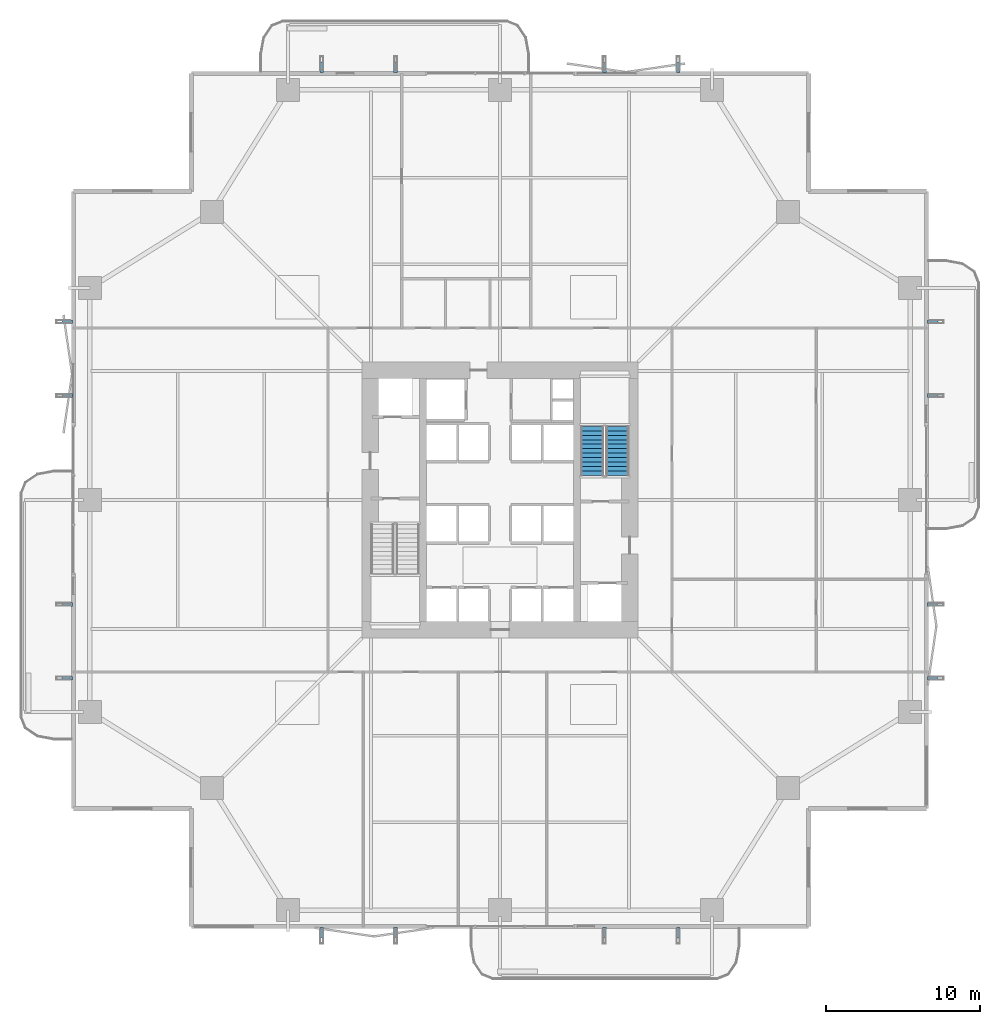
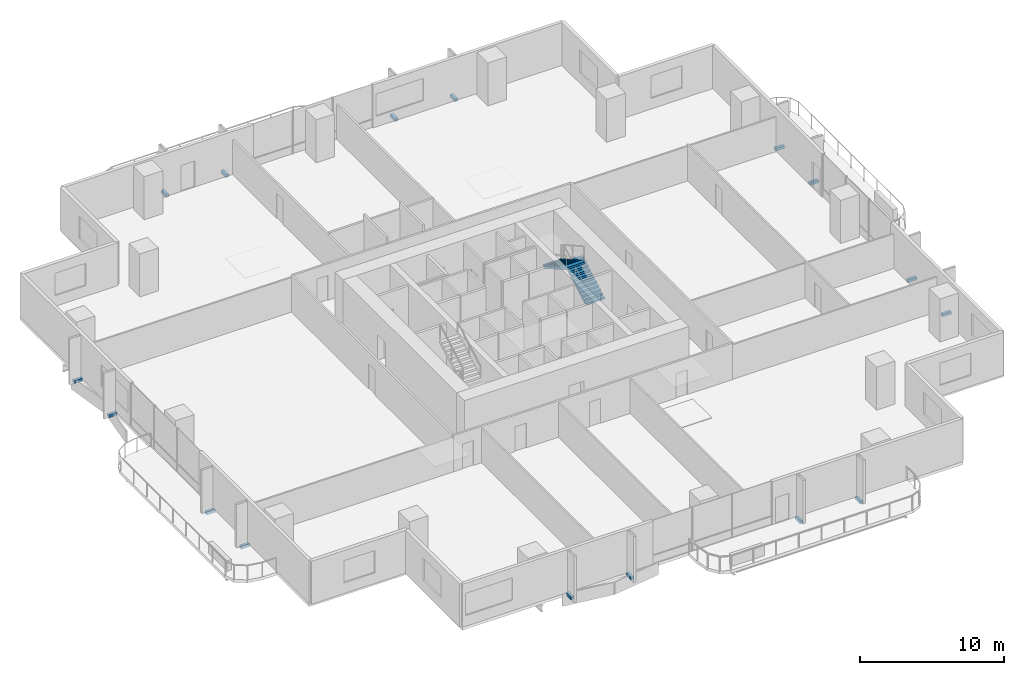
# One storey, part 20 of 24: 16 discrete accessories, 2 stair flights, 1 element without a shape of its own.
"""IFC4 building model written with IfcOpenShell, lengths in metres."""

from ifc_helpers import new_model, si_unit, direction, frame, origin, origin_2d, place, context, subcontext, project, spatial, polyline, rectangle, outline, extrude, material, layer, layer_set, type_object, element, aggregate, save


model = new_model("IFC4")

# Units and contexts
model_context = context("Model", 3, precision=1e-05, world=origin(), true_north=direction((0.0, 1.0)))
body_context = subcontext(model_context, "Body", "Model", "MODEL_VIEW")
ifc_project = project(units=[si_unit("LENGTHUNIT", "METRE"), si_unit("AREAUNIT", "SQUARE_METRE"), si_unit("VOLUMEUNIT", "CUBIC_METRE"), si_unit("PLANEANGLEUNIT", "RADIAN"), si_unit("MASSUNIT", "GRAM", prefix="KILO")], contexts=[model_context])

# Site, building, storey
site_placement = place(None, origin())
site = spatial("IfcSite", under=ifc_project, at=site_placement, CompositionType="ELEMENT")
building_placement = place(site_placement, origin())
building = spatial("IfcBuilding", under=site, at=building_placement, Name="Belovzor Exchange Tower", CompositionType="ELEMENT")
storey_placement = place(building_placement, frame((0.0, 0.0, 96.300048828125)))
storey = spatial("IfcBuildingStorey", under=building, at=storey_placement, Name="L23", CompositionType="ELEMENT", Elevation=96.300048828125)

# Stair, stair flights
ifc_material_1 = material(Name="Concrete C40/50", Category="concrete")
stair_type = type_object("IfcStairType", Name="Reinforced Concrete Dogleg Escape Stair 1350", PredefinedType="HALF_TURN_STAIR", material=ifc_material_1)
stair_placement = place(storey_placement, origin())
stair = element("IfcStair", 1, at=stair_placement, inside=storey, type_object=stair_type, Name="L23 ST-2", PredefinedType="HALF_TURN_STAIR")
ifc_material_2 = material(Name="Concrete C40/50", Category="concrete")
stair_flight_type = type_object("IfcStairFlightType", Name="Reinforced Concrete Stair Flight 1350", PredefinedType="STRAIGHT", material=ifc_material_2)
stair_flight_1_placement = place(storey_placement, frame((36.449951171875, 30.39990234375, 0.0), z_axis=(0.0, 0.0, 1.0), x_axis=(0.0, 1.0, 0.0)))
stair_flight_1 = element("IfcStairFlight", 2, at=stair_flight_1_placement, type_object=stair_flight_type, Name="ST-2 flight 1", NumberOfRisers=12, NumberOfTreads=11, PredefinedType="STRAIGHT", RiserHeight=0.1625, TreadLength=0.29, context=body_context, shape_type="SweptSolid", body=[
    extrude(outline(polyline([(0.0, 0.0), (0.0, 0.16259765625), (0.2900390625, 0.16259765625), (0.2900390625, 0.324951171875), (0.580078125, 0.324951171875), (0.580078125, 0.487548828125), (0.8701171875, 0.487548828125), (0.8701171875, 0.64990234375), (1.159912109375, 0.64990234375), (1.159912109375, 0.8125), (1.449951171875, 0.8125), (1.449951171875, 0.97509765625), (1.739990234375, 0.97509765625), (1.739990234375, 1.137451171875), (2.030029296875, 1.137451171875), (2.030029296875, 1.300048828125), (2.320068359375, 1.300048828125), (2.320068359375, 1.46240234375), (2.610107421875, 1.46240234375), (2.610107421875, 1.625), (2.89990234375, 1.625), (2.89990234375, 1.78759765625), (3.18994140625, 1.78759765625), (3.18994140625, 1.949951171875), (3.18994140625, 1.61572265625), (0.306640625, 0.0), (0.0, 0.0)])), frame((0.0, 0.75, 0.0), z_axis=(0.0, -1.0, 0.0), x_axis=(1.0, 0.0, 0.0)), (0.0, 0.0, 1.0), 1.5),
])
stair_flight_2_placement = place(storey_placement, frame((34.800048828125, 33.590087890625, 1.949951171875), z_axis=(0.0, 0.0, 1.0), x_axis=(0.0, -1.0, 0.0)))
stair_flight_2 = element("IfcStairFlight", 3, at=stair_flight_2_placement, type_object=stair_flight_type, Name="ST-2 flight 2", NumberOfRisers=12, NumberOfTreads=11, PredefinedType="STRAIGHT", RiserHeight=0.1625, TreadLength=0.29, context=body_context, shape_type="SweptSolid", body=[
    extrude(outline(polyline([(0.0, 0.0), (0.0, 0.16259765625), (0.2900390625, 0.16259765625), (0.2900390625, 0.324951171875), (0.580078125, 0.324951171875), (0.580078125, 0.487548828125), (0.8701171875, 0.487548828125), (0.8701171875, 0.64990234375), (1.159912109375, 0.64990234375), (1.159912109375, 0.8125), (1.449951171875, 0.8125), (1.449951171875, 0.97509765625), (1.739990234375, 0.97509765625), (1.739990234375, 1.137451171875), (2.030029296875, 1.137451171875), (2.030029296875, 1.300048828125), (2.320068359375, 1.300048828125), (2.320068359375, 1.46240234375), (2.610107421875, 1.46240234375), (2.610107421875, 1.625), (2.89990234375, 1.625), (2.89990234375, 1.78759765625), (3.18994140625, 1.78759765625), (3.18994140625, 1.949951171875), (3.18994140625, 1.61572265625), (0.306640625, 0.0), (0.0, 0.0)])), frame((0.0, 0.75, 0.0), z_axis=(0.0, -1.0, 0.0), x_axis=(1.0, 0.0, 0.0)), (0.0, 0.0, 1.0), 1.5),
])
aggregate(stair, [stair_flight_1, stair_flight_2])

# Discrete accessories
ifc_material_3 = material(Name="Stainless Steel Grade 316", Category="steel")
ifc_layer = layer(ifc_material_3, 0.179931640625)
ifc_layer_set = layer_set([ifc_layer], Name="Stainless Steel Grade 316")
discrete_accessory_type = type_object("IfcDiscreteAccessoryType", Name="Stainless Steel Facade Outrigger Fixing Bracket", PredefinedType="BRACKET", material=ifc_layer_set)
for number, where, z_axis, x_axis, name in (
    (4, (17.199951171875, 0.636962890625, -0.2451171875), (0.0, 0.0, 1.0), (0.0, 1.0, 0.0), "BRK-FIN1 Sweeping Fin Outrigger Bracket L23 S1"),
    (5, (17.199951171875, 56.9619140625, -0.2451171875), (0.0, 0.0, 1.0), (0.0, 1.0, 0.0), "BRK-FIN1 Sweeping Fin Outrigger Bracket L23 N1"),
    (6, (0.636962890625, 17.199951171875, -0.2451171875), (0.0, 0.0, 1.0), (1.0, 0.0, 0.0), "BRK-FIN1 Sweeping Fin Outrigger Bracket L23 W1"),
    (7, (56.9619140625, 17.199951171875, -0.2451171875), (0.0, 0.0, 1.0), (1.0, 0.0, 0.0), "BRK-FIN1 Sweeping Fin Outrigger Bracket L23 E1"),
    (8, (22.0, 0.636962890625, -0.2451171875), (0.0, 0.0, 1.0), (0.0, 1.0, 0.0), "BRK-FIN1 Sweeping Fin Outrigger Bracket L23 S2"),
    (9, (22.0, 56.9619140625, -0.2451171875), (0.0, 0.0, 1.0), (0.0, 1.0, 0.0), "BRK-FIN1 Sweeping Fin Outrigger Bracket L23 N2"),
    (10, (0.636962890625, 22.0, -0.2451171875), (0.0, 0.0, 1.0), (1.0, 0.0, 0.0), "BRK-FIN1 Sweeping Fin Outrigger Bracket L23 W2"),
    (11, (56.9619140625, 22.0, -0.2451171875), (0.0, 0.0, 1.0), (1.0, 0.0, 0.0), "BRK-FIN1 Sweeping Fin Outrigger Bracket L23 E2"),
    (12, (35.60009765625, 0.636962890625, -0.2451171875), (0.0, 0.0, 1.0), (0.0, 1.0, 0.0), "BRK-FIN1 Sweeping Fin Outrigger Bracket L23 S3"),
    (13, (35.60009765625, 56.9619140625, -0.2451171875), (0.0, 0.0, 1.0), (0.0, 1.0, 0.0), "BRK-FIN1 Sweeping Fin Outrigger Bracket L23 N3"),
    (14, (0.636962890625, 35.60009765625, -0.2451171875), (0.0, 0.0, 1.0), (1.0, 0.0, 0.0), "BRK-FIN1 Sweeping Fin Outrigger Bracket L23 W3"),
    (15, (56.9619140625, 35.60009765625, -0.2451171875), (0.0, 0.0, 1.0), (1.0, 0.0, 0.0), "BRK-FIN1 Sweeping Fin Outrigger Bracket L23 E3"),
    (16, (40.39990234375, 0.636962890625, -0.2451171875), (0.0, 0.0, 1.0), (0.0, 1.0, 0.0), "BRK-FIN1 Sweeping Fin Outrigger Bracket L23 S4"),
    (17, (40.39990234375, 56.9619140625, -0.2451171875), (0.0, 0.0, 1.0), (0.0, 1.0, 0.0), "BRK-FIN1 Sweeping Fin Outrigger Bracket L23 N4"),
    (18, (0.636962890625, 40.39990234375, -0.2451171875), (0.0, 0.0, 1.0), (1.0, 0.0, 0.0), "BRK-FIN1 Sweeping Fin Outrigger Bracket L23 W4"),
    (19, (56.9619140625, 40.39990234375, -0.2451171875), (0.0, 0.0, 1.0), (1.0, 0.0, 0.0), "BRK-FIN1 Sweeping Fin Outrigger Bracket L23 E4"),
):
    element("IfcDiscreteAccessory", number, at=place(storey_placement, frame(where, z_axis=z_axis, x_axis=x_axis)), inside=storey, type_object=discrete_accessory_type, Name=name, PredefinedType="BRACKET", context=body_context, shape_type="SweptSolid", body=[
        extrude(rectangle(XDim=0.68505859375, YDim=0.239990234375, at=origin_2d()), origin(), (0.0, 0.0, 1.0), 0.239990234375),
    ])

save(model, "model.ifc")
